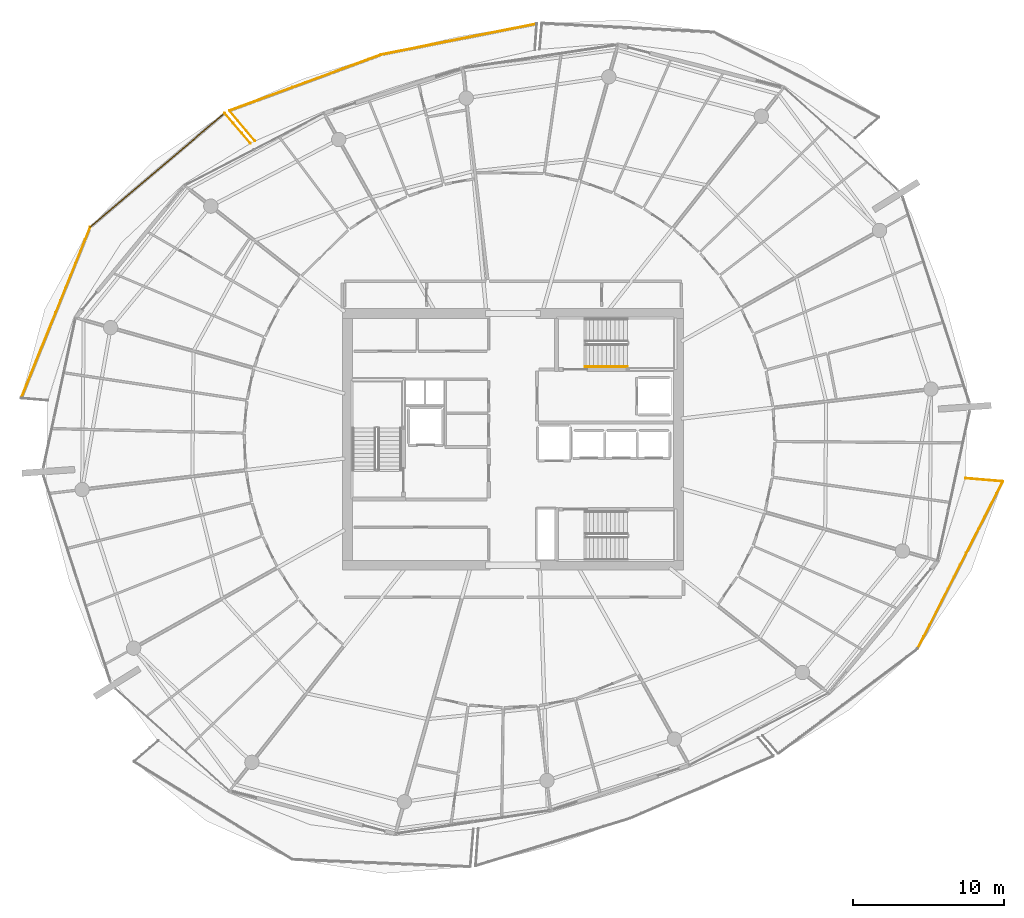
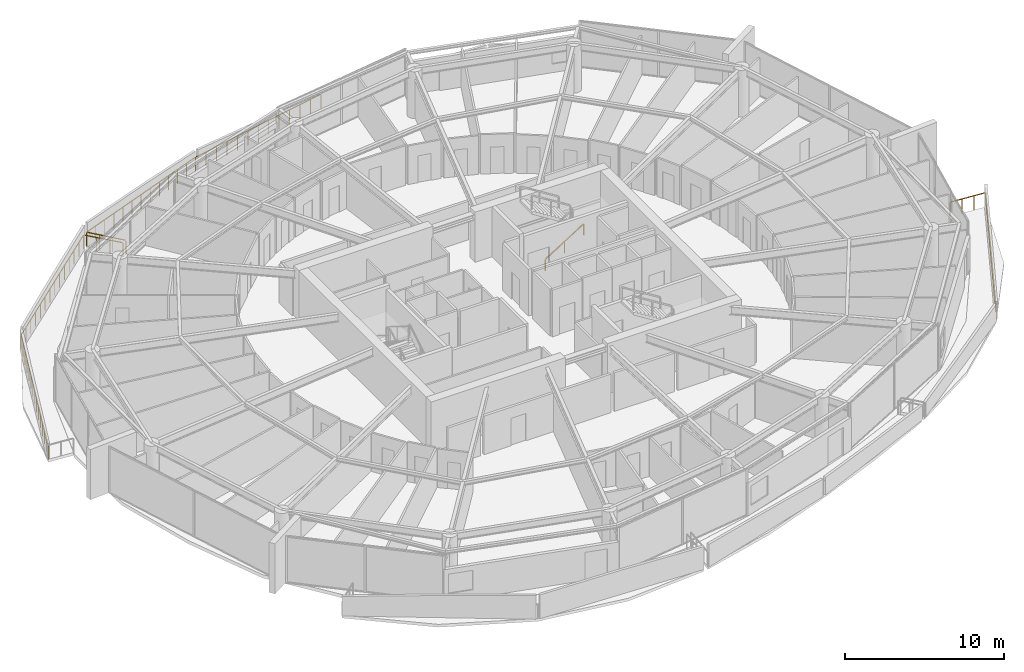
# One storey, part 29 of 31: 9 railings.
"""IFC4 building model written with IfcOpenShell, lengths in metres."""

from ifc_helpers import new_model, si_unit, direction, frame, origin, origin_2d, place, context, subcontext, project, spatial, rectangle, extrude, material, type_object, element, save


model = new_model("IFC4")

# Units and contexts
model_context = context("Model", 3, precision=1e-05, world=origin(), true_north=direction((0.0, 1.0)))
body_context = subcontext(model_context, "Body", "Model", "MODEL_VIEW")
ifc_project = project(units=[si_unit("LENGTHUNIT", "METRE"), si_unit("AREAUNIT", "SQUARE_METRE"), si_unit("VOLUMEUNIT", "CUBIC_METRE"), si_unit("PLANEANGLEUNIT", "RADIAN"), si_unit("MASSUNIT", "GRAM", prefix="KILO")], contexts=[model_context])

# Site, building, storey
site_placement = place(None, origin())
site = spatial("IfcSite", under=ifc_project, at=site_placement, CompositionType="ELEMENT")
building_placement = place(site_placement, origin())
building = spatial("IfcBuilding", under=site, at=building_placement, Name="Kazma Halo Residences", CompositionType="ELEMENT")
storey_placement = place(building_placement, frame((0.0, 0.0, 271.35009765625)))
storey = spatial("IfcBuildingStorey", under=building, at=storey_placement, Name="L68", CompositionType="ELEMENT", Elevation=271.35009765625)

# Railings
ifc_material_1 = material(Name="Aluminium AW-6063 T6 Brushed Cap Rail", Category="aluminium")
railing_type_1 = type_object("IfcRailingType", Name="RLG-BAL-CAP-1120", PredefinedType="BALUSTRADE", material=ifc_material_1)
railing_1_placement = place(storey_placement, frame((49.994384765625, 69.486083984375, 0.0)))
element("IfcRailing", 1, at=railing_1_placement, inside=storey, type_object=railing_type_1, Name="L68 NNW wave balcony guard 2", PredefinedType="BALUSTRADE", context=body_context, shape_type="SweptSolid", body=[
    extrude(rectangle(XDim=0.050048828125, YDim=0.050048828125, at=origin_2d()), frame((-0.041748046875, -0.00830078125, 1.09521484375), z_axis=(-0.980921977936, -0.19440183436, 0.0), x_axis=(0.19440183436, -0.980921977936, 0.0)), (0.0, 0.0, 1.0), 10.378662109375),
    extrude(rectangle(XDim=0.0400390625, YDim=0.0400390625, at=origin_2d()), origin(), (0.0, 0.0, 1.0), 1.05810546875),
    extrude(rectangle(XDim=0.0400390625, YDim=0.0400390625, at=origin_2d()), frame((-0.85546875, -0.16943359375, 0.0)), (0.0, 0.0, 1.0), 1.05810546875),
    extrude(rectangle(XDim=0.0400390625, YDim=0.0400390625, at=origin_2d()), frame((-1.710693359375, -0.339111328125, 0.0)), (0.0, 0.0, 1.0), 1.05810546875),
    extrude(rectangle(XDim=0.0400390625, YDim=0.0400390625, at=origin_2d()), frame((-2.56591796875, -0.508544921875, 0.0)), (0.0, 0.0, 1.0), 1.05810546875),
    extrude(rectangle(XDim=0.0400390625, YDim=0.0400390625, at=origin_2d()), frame((-3.42138671875, -0.677978515625, 0.0)), (0.0, 0.0, 1.0), 1.05810546875),
    extrude(rectangle(XDim=0.0400390625, YDim=0.0400390625, at=origin_2d()), frame((-4.27685546875, -0.84765625, 0.0)), (0.0, 0.0, 1.0), 1.05810546875),
    extrude(rectangle(XDim=0.0400390625, YDim=0.0400390625, at=origin_2d()), frame((-5.132080078125, -1.01708984375, 0.0)), (0.0, 0.0, 1.0), 1.05810546875),
    extrude(rectangle(XDim=0.0400390625, YDim=0.0400390625, at=origin_2d()), frame((-5.9873046875, -1.1865234375, 0.0)), (0.0, 0.0, 1.0), 1.05810546875),
    extrude(rectangle(XDim=0.0400390625, YDim=0.0400390625, at=origin_2d()), frame((-6.8427734375, -1.356201171875, 0.0)), (0.0, 0.0, 1.0), 1.05810546875),
    extrude(rectangle(XDim=0.0400390625, YDim=0.0400390625, at=origin_2d()), frame((-7.6982421875, -1.525634765625, 0.0)), (0.0, 0.0, 1.0), 1.05810546875),
    extrude(rectangle(XDim=0.0400390625, YDim=0.0400390625, at=origin_2d()), frame((-8.553466796875, -1.695068359375, 0.0)), (0.0, 0.0, 1.0), 1.05810546875),
    extrude(rectangle(XDim=0.0400390625, YDim=0.0400390625, at=origin_2d()), frame((-9.40869140625, -1.86474609375, 0.0)), (0.0, 0.0, 1.0), 1.05810546875),
    extrude(rectangle(XDim=0.0400390625, YDim=0.0400390625, at=origin_2d()), frame((-10.26416015625, -2.0341796875, 0.0)), (0.0, 0.0, 1.0), 1.05810546875),
])
railing_2_placement = place(storey_placement, frame((39.730224609375, 67.451904296875, 0.0)))
element("IfcRailing", 2, at=railing_2_placement, inside=storey, type_object=railing_type_1, Name="L68 NNW wave balcony guard 3", PredefinedType="BALUSTRADE", context=body_context, shape_type="SweptSolid", body=[
    extrude(rectangle(XDim=0.050048828125, YDim=0.050048828125, at=origin_2d()), frame((-0.039794921875, -0.0146484375, 1.09521484375), z_axis=(-0.938192314646, -0.34611440412, 0.0), x_axis=(0.34611440412, -0.938192314646, 0.0)), (0.0, 0.0, 1.0), 10.645751953125),
    extrude(rectangle(XDim=0.0400390625, YDim=0.0400390625, at=origin_2d()), origin(), (0.0, 0.0, 1.0), 1.05810546875),
    extrude(rectangle(XDim=0.0400390625, YDim=0.0400390625, at=origin_2d()), frame((-0.8388671875, -0.3095703125, 0.0)), (0.0, 0.0, 1.0), 1.05810546875),
    extrude(rectangle(XDim=0.0400390625, YDim=0.0400390625, at=origin_2d()), frame((-1.677978515625, -0.619140625, 0.0)), (0.0, 0.0, 1.0), 1.05810546875),
    extrude(rectangle(XDim=0.0400390625, YDim=0.0400390625, at=origin_2d()), frame((-2.516845703125, -0.928466796875, 0.0)), (0.0, 0.0, 1.0), 1.05810546875),
    extrude(rectangle(XDim=0.0400390625, YDim=0.0400390625, at=origin_2d()), frame((-3.35595703125, -1.238037109375, 0.0)), (0.0, 0.0, 1.0), 1.05810546875),
    extrude(rectangle(XDim=0.0400390625, YDim=0.0400390625, at=origin_2d()), frame((-4.19482421875, -1.547607421875, 0.0)), (0.0, 0.0, 1.0), 1.05810546875),
    extrude(rectangle(XDim=0.0400390625, YDim=0.0400390625, at=origin_2d()), frame((-5.03369140625, -1.85693359375, 0.0)), (0.0, 0.0, 1.0), 1.05810546875),
    extrude(rectangle(XDim=0.0400390625, YDim=0.0400390625, at=origin_2d()), frame((-5.872802734375, -2.16650390625, 0.0)), (0.0, 0.0, 1.0), 1.05810546875),
    extrude(rectangle(XDim=0.0400390625, YDim=0.0400390625, at=origin_2d()), frame((-6.711669921875, -2.47607421875, 0.0)), (0.0, 0.0, 1.0), 1.05810546875),
    extrude(rectangle(XDim=0.0400390625, YDim=0.0400390625, at=origin_2d()), frame((-7.55078125, -2.78564453125, 0.0)), (0.0, 0.0, 1.0), 1.05810546875),
    extrude(rectangle(XDim=0.0400390625, YDim=0.0400390625, at=origin_2d()), frame((-8.3896484375, -3.09521484375, 0.0)), (0.0, 0.0, 1.0), 1.05810546875),
    extrude(rectangle(XDim=0.0400390625, YDim=0.0400390625, at=origin_2d()), frame((-9.228759765625, -3.404541015625, 0.0)), (0.0, 0.0, 1.0), 1.05810546875),
    extrude(rectangle(XDim=0.0400390625, YDim=0.0400390625, at=origin_2d()), frame((-10.067626953125, -3.714111328125, 0.0)), (0.0, 0.0, 1.0), 1.05810546875),
])
railing_3_placement = place(storey_placement, frame((29.66259765625, 63.73779296875, 0.0)))
element("IfcRailing", 3, at=railing_3_placement, inside=storey, type_object=railing_type_1, Name="L68 NNW wave balcony guard 4", PredefinedType="BALUSTRADE", context=body_context, shape_type="SweptSolid", body=[
    extrude(rectangle(XDim=0.050048828125, YDim=0.050048828125, at=origin_2d()), frame((0.02734375, -0.032470703125, 1.09521484375), z_axis=(0.644828498892, -0.764327290509, 0.0), x_axis=(0.764327290509, 0.644828498892, 0.0)), (0.0, 0.0, 1.0), 2.540283203125),
    extrude(rectangle(XDim=0.0400390625, YDim=0.0400390625, at=origin_2d()), origin(), (0.0, 0.0, 1.0), 1.05810546875),
    extrude(rectangle(XDim=0.0400390625, YDim=0.0400390625, at=origin_2d()), frame((0.564208984375, -0.6689453125, 0.0)), (0.0, 0.0, 1.0), 1.05810546875),
    extrude(rectangle(XDim=0.0400390625, YDim=0.0400390625, at=origin_2d()), frame((1.128662109375, -1.337646484375, 0.0)), (0.0, 0.0, 1.0), 1.05810546875),
    extrude(rectangle(XDim=0.0400390625, YDim=0.0400390625, at=origin_2d()), frame((1.69287109375, -2.006591796875, 0.0)), (0.0, 0.0, 1.0), 1.05810546875),
])
railing_4_placement = place(storey_placement, frame((31.06787109375, 61.58154296875, 0.0)))
element("IfcRailing", 4, at=railing_4_placement, inside=storey, type_object=railing_type_1, Name="L68 NW wave balcony guard 1", PredefinedType="BALUSTRADE", context=body_context, shape_type="SweptSolid", body=[
    extrude(rectangle(XDim=0.050048828125, YDim=0.050048828125, at=origin_2d()), frame((-0.02783203125, 0.0322265625, 1.09521484375), z_axis=(-0.654057200306, 0.756445093002, 0.0), x_axis=(-0.756445093002, -0.654057200306, 0.0)), (0.0, 0.0, 1.0), 2.544921875),
    extrude(rectangle(XDim=0.0400390625, YDim=0.0400390625, at=origin_2d()), origin(), (0.0, 0.0, 1.0), 1.05810546875),
    extrude(rectangle(XDim=0.0400390625, YDim=0.0400390625, at=origin_2d()), frame((-0.573486328125, 0.6630859375, 0.0)), (0.0, 0.0, 1.0), 1.05810546875),
    extrude(rectangle(XDim=0.0400390625, YDim=0.0400390625, at=origin_2d()), frame((-1.146728515625, 1.326416015625, 0.0)), (0.0, 0.0, 1.0), 1.05810546875),
    extrude(rectangle(XDim=0.0400390625, YDim=0.0400390625, at=origin_2d()), frame((-1.72021484375, 1.989501953125, 0.0)), (0.0, 0.0, 1.0), 1.05810546875),
])
railing_5_placement = place(storey_placement, frame((29.34765625, 63.571044921875, 0.0)))
element("IfcRailing", 5, at=railing_5_placement, inside=storey, type_object=railing_type_1, Name="L68 NW wave balcony guard 2", PredefinedType="BALUSTRADE", context=body_context, shape_type="SweptSolid", body=[
    extrude(rectangle(XDim=0.050048828125, YDim=0.050048828125, at=origin_2d()), frame((-0.032470703125, -0.027587890625, 1.09521484375), z_axis=(-0.762726414498, -0.646721282028, 0.0), x_axis=(0.646721282028, -0.762726414498, 0.0)), (0.0, 0.0, 1.0), 11.570068359375),
    extrude(rectangle(XDim=0.0400390625, YDim=0.0400390625, at=origin_2d()), origin(), (0.0, 0.0, 1.0), 1.05810546875),
    extrude(rectangle(XDim=0.0400390625, YDim=0.0400390625, at=origin_2d()), frame((-0.683837890625, -0.579833984375, 0.0)), (0.0, 0.0, 1.0), 1.05810546875),
    extrude(rectangle(XDim=0.0400390625, YDim=0.0400390625, at=origin_2d()), frame((-1.36767578125, -1.15966796875, 0.0)), (0.0, 0.0, 1.0), 1.05810546875),
    extrude(rectangle(XDim=0.0400390625, YDim=0.0400390625, at=origin_2d()), frame((-2.051513671875, -1.739501953125, 0.0)), (0.0, 0.0, 1.0), 1.05810546875),
    extrude(rectangle(XDim=0.0400390625, YDim=0.0400390625, at=origin_2d()), frame((-2.7353515625, -2.3193359375, 0.0)), (0.0, 0.0, 1.0), 1.05810546875),
    extrude(rectangle(XDim=0.0400390625, YDim=0.0400390625, at=origin_2d()), frame((-3.419189453125, -2.899169921875, 0.0)), (0.0, 0.0, 1.0), 1.05810546875),
    extrude(rectangle(XDim=0.0400390625, YDim=0.0400390625, at=origin_2d()), frame((-4.10302734375, -3.47900390625, 0.0)), (0.0, 0.0, 1.0), 1.05810546875),
    extrude(rectangle(XDim=0.0400390625, YDim=0.0400390625, at=origin_2d()), frame((-4.78662109375, -4.05859375, 0.0)), (0.0, 0.0, 1.0), 1.05810546875),
    extrude(rectangle(XDim=0.0400390625, YDim=0.0400390625, at=origin_2d()), frame((-5.470458984375, -4.638427734375, 0.0)), (0.0, 0.0, 1.0), 1.05810546875),
    extrude(rectangle(XDim=0.0400390625, YDim=0.0400390625, at=origin_2d()), frame((-6.154296875, -5.21826171875, 0.0)), (0.0, 0.0, 1.0), 1.05810546875),
    extrude(rectangle(XDim=0.0400390625, YDim=0.0400390625, at=origin_2d()), frame((-6.838134765625, -5.798095703125, 0.0)), (0.0, 0.0, 1.0), 1.05810546875),
    extrude(rectangle(XDim=0.0400390625, YDim=0.0400390625, at=origin_2d()), frame((-7.52197265625, -6.3779296875, 0.0)), (0.0, 0.0, 1.0), 1.05810546875),
    extrude(rectangle(XDim=0.0400390625, YDim=0.0400390625, at=origin_2d()), frame((-8.205810546875, -6.957763671875, 0.0)), (0.0, 0.0, 1.0), 1.05810546875),
    extrude(rectangle(XDim=0.0400390625, YDim=0.0400390625, at=origin_2d()), frame((-8.8896484375, -7.53759765625, 0.0)), (0.0, 0.0, 1.0), 1.05810546875),
])
railing_6_placement = place(storey_placement, frame((20.4580078125, 56.033447265625, 0.0)))
element("IfcRailing", 6, at=railing_6_placement, inside=storey, type_object=railing_type_1, Name="L68 NW wave balcony guard 3", PredefinedType="BALUSTRADE", context=body_context, shape_type="SweptSolid", body=[
    extrude(rectangle(XDim=0.050048828125, YDim=0.050048828125, at=origin_2d()), frame((-0.015869140625, -0.03955078125, 1.09521484375), z_axis=(-0.374095261737, -0.927390281999, 0.0), x_axis=(0.927390281999, -0.374095261737, 0.0)), (0.0, 0.0, 1.0), 12.109619140625),
    extrude(rectangle(XDim=0.0400390625, YDim=0.0400390625, at=origin_2d()), origin(), (0.0, 0.0, 1.0), 1.05810546875),
    extrude(rectangle(XDim=0.0400390625, YDim=0.0400390625, at=origin_2d()), frame((-0.325927734375, -0.807861328125, 0.0)), (0.0, 0.0, 1.0), 1.05810546875),
    extrude(rectangle(XDim=0.0400390625, YDim=0.0400390625, at=origin_2d()), frame((-0.651611328125, -1.61572265625, 0.0)), (0.0, 0.0, 1.0), 1.05810546875),
    extrude(rectangle(XDim=0.0400390625, YDim=0.0400390625, at=origin_2d()), frame((-0.9775390625, -2.42333984375, 0.0)), (0.0, 0.0, 1.0), 1.05810546875),
    extrude(rectangle(XDim=0.0400390625, YDim=0.0400390625, at=origin_2d()), frame((-1.303466796875, -3.231201171875, 0.0)), (0.0, 0.0, 1.0), 1.05810546875),
    extrude(rectangle(XDim=0.0400390625, YDim=0.0400390625, at=origin_2d()), frame((-1.62939453125, -4.0390625, 0.0)), (0.0, 0.0, 1.0), 1.05810546875),
    extrude(rectangle(XDim=0.0400390625, YDim=0.0400390625, at=origin_2d()), frame((-1.955078125, -4.846923828125, 0.0)), (0.0, 0.0, 1.0), 1.05810546875),
    extrude(rectangle(XDim=0.0400390625, YDim=0.0400390625, at=origin_2d()), frame((-2.281005859375, -5.65478515625, 0.0)), (0.0, 0.0, 1.0), 1.05810546875),
    extrude(rectangle(XDim=0.0400390625, YDim=0.0400390625, at=origin_2d()), frame((-2.60693359375, -6.46240234375, 0.0)), (0.0, 0.0, 1.0), 1.05810546875),
    extrude(rectangle(XDim=0.0400390625, YDim=0.0400390625, at=origin_2d()), frame((-2.9326171875, -7.270263671875, 0.0)), (0.0, 0.0, 1.0), 1.05810546875),
    extrude(rectangle(XDim=0.0400390625, YDim=0.0400390625, at=origin_2d()), frame((-3.258544921875, -8.078125, 0.0)), (0.0, 0.0, 1.0), 1.05810546875),
    extrude(rectangle(XDim=0.0400390625, YDim=0.0400390625, at=origin_2d()), frame((-3.58447265625, -8.885986328125, 0.0)), (0.0, 0.0, 1.0), 1.05810546875),
    extrude(rectangle(XDim=0.0400390625, YDim=0.0400390625, at=origin_2d()), frame((-3.910400390625, -9.693603515625, 0.0)), (0.0, 0.0, 1.0), 1.05810546875),
    extrude(rectangle(XDim=0.0400390625, YDim=0.0400390625, at=origin_2d()), frame((-4.236083984375, -10.50146484375, 0.0)), (0.0, 0.0, 1.0), 1.05810546875),
    extrude(rectangle(XDim=0.0400390625, YDim=0.0400390625, at=origin_2d()), frame((-4.56201171875, -11.309326171875, 0.0)), (0.0, 0.0, 1.0), 1.05810546875),
])
railing_7_placement = place(storey_placement, frame((75.1875, 28.147216796875, 0.0)))
element("IfcRailing", 7, at=railing_7_placement, inside=storey, type_object=railing_type_1, Name="L68 SE wave balcony guard 3", PredefinedType="BALUSTRADE", context=body_context, shape_type="SweptSolid", body=[
    extrude(rectangle(XDim=0.050048828125, YDim=0.050048828125, at=origin_2d()), frame((0.019287109375, 0.037841796875, 1.09521484375), z_axis=(0.453751445386, 0.891128288077, 0.0), x_axis=(-0.891128288077, 0.453751445386, 0.0)), (0.0, 0.0, 1.0), 12.334716796875),
    extrude(rectangle(XDim=0.0400390625, YDim=0.0400390625, at=origin_2d()), origin(), (0.0, 0.0, 1.0), 1.05810546875),
    extrude(rectangle(XDim=0.0400390625, YDim=0.0400390625, at=origin_2d()), frame((0.402587890625, 0.79052734375, 0.0)), (0.0, 0.0, 1.0), 1.05810546875),
    extrude(rectangle(XDim=0.0400390625, YDim=0.0400390625, at=origin_2d()), frame((0.80517578125, 1.5810546875, 0.0)), (0.0, 0.0, 1.0), 1.05810546875),
    extrude(rectangle(XDim=0.0400390625, YDim=0.0400390625, at=origin_2d()), frame((1.20751953125, 2.37158203125, 0.0)), (0.0, 0.0, 1.0), 1.05810546875),
    extrude(rectangle(XDim=0.0400390625, YDim=0.0400390625, at=origin_2d()), frame((1.610107421875, 3.162109375, 0.0)), (0.0, 0.0, 1.0), 1.05810546875),
    extrude(rectangle(XDim=0.0400390625, YDim=0.0400390625, at=origin_2d()), frame((2.0126953125, 3.95263671875, 0.0)), (0.0, 0.0, 1.0), 1.05810546875),
    extrude(rectangle(XDim=0.0400390625, YDim=0.0400390625, at=origin_2d()), frame((2.415283203125, 4.7431640625, 0.0)), (0.0, 0.0, 1.0), 1.05810546875),
    extrude(rectangle(XDim=0.0400390625, YDim=0.0400390625, at=origin_2d()), frame((2.81787109375, 5.53369140625, 0.0)), (0.0, 0.0, 1.0), 1.05810546875),
    extrude(rectangle(XDim=0.0400390625, YDim=0.0400390625, at=origin_2d()), frame((3.22021484375, 6.324462890625, 0.0)), (0.0, 0.0, 1.0), 1.05810546875),
    extrude(rectangle(XDim=0.0400390625, YDim=0.0400390625, at=origin_2d()), frame((3.622802734375, 7.114990234375, 0.0)), (0.0, 0.0, 1.0), 1.05810546875),
    extrude(rectangle(XDim=0.0400390625, YDim=0.0400390625, at=origin_2d()), frame((4.025390625, 7.905517578125, 0.0)), (0.0, 0.0, 1.0), 1.05810546875),
    extrude(rectangle(XDim=0.0400390625, YDim=0.0400390625, at=origin_2d()), frame((4.427978515625, 8.696044921875, 0.0)), (0.0, 0.0, 1.0), 1.05810546875),
    extrude(rectangle(XDim=0.0400390625, YDim=0.0400390625, at=origin_2d()), frame((4.830322265625, 9.486572265625, 0.0)), (0.0, 0.0, 1.0), 1.05810546875),
    extrude(rectangle(XDim=0.0400390625, YDim=0.0400390625, at=origin_2d()), frame((5.23291015625, 10.277099609375, 0.0)), (0.0, 0.0, 1.0), 1.05810546875),
    extrude(rectangle(XDim=0.0400390625, YDim=0.0400390625, at=origin_2d()), frame((5.635498046875, 11.067626953125, 0.0)), (0.0, 0.0, 1.0), 1.05810546875),
])
railing_8_placement = place(storey_placement, frame((80.822998046875, 39.21484375, 0.0)))
element("IfcRailing", 8, at=railing_8_placement, inside=storey, type_object=railing_type_1, Name="L68 SE wave balcony guard 4", PredefinedType="BALUSTRADE", context=body_context, shape_type="SweptSolid", body=[
    extrude(rectangle(XDim=0.050048828125, YDim=0.050048828125, at=origin_2d()), frame((-0.04248046875, 0.003662109375, 1.09521484375), z_axis=(-0.996414964781, 0.084600342552, 0.0), x_axis=(-0.084600342552, -0.996414964781, 0.0)), (0.0, 0.0, 1.0), 2.396728515625),
    extrude(rectangle(XDim=0.0400390625, YDim=0.0400390625, at=origin_2d()), origin(), (0.0, 0.0, 1.0), 1.05810546875),
    extrude(rectangle(XDim=0.0400390625, YDim=0.0400390625, at=origin_2d()), frame((-0.82421875, 0.070068359375, 0.0)), (0.0, 0.0, 1.0), 1.05810546875),
    extrude(rectangle(XDim=0.0400390625, YDim=0.0400390625, at=origin_2d()), frame((-1.648681640625, 0.139892578125, 0.0)), (0.0, 0.0, 1.0), 1.05810546875),
    extrude(rectangle(XDim=0.0400390625, YDim=0.0400390625, at=origin_2d()), frame((-2.472900390625, 0.2099609375, 0.0)), (0.0, 0.0, 1.0), 1.05810546875),
])
ifc_material_2 = material(Name="Brushed Stainless Steel", Category="steel")
railing_type_2 = type_object("IfcRailingType", Name="RLG-STAIR-HND-900", PredefinedType="HANDRAIL", material=ifc_material_2)
railing_9_placement = place(storey_placement, frame((53.199951171875, 46.800048828125, 0.1748046875)))
element("IfcRailing", 9, at=railing_9_placement, inside=storey, type_object=railing_type_2, Name="L68 ST-02 stair handrail 1", PredefinedType="HANDRAIL", context=body_context, shape_type="SweptSolid", body=[
    extrude(rectangle(XDim=0.050048828125, YDim=0.050048828125, at=origin_2d()), frame((0.0361328125, 0.0, 0.8974609375), z_axis=(0.848002457836, 0.0, 0.529992293815), x_axis=(0.0, 1.0, 0.0)), (0.0, 0.0, 1.0), 3.216796875),
    extrude(rectangle(XDim=0.0400390625, YDim=0.0400390625, at=origin_2d()), origin(), (0.0, 0.0, 1.0), 0.837890625),
    extrude(rectangle(XDim=0.0400390625, YDim=0.0400390625, at=origin_2d()), frame((1.39990234375, 0.0, 0.875)), (0.0, 0.0, 1.0), 0.837890625),
    extrude(rectangle(XDim=0.0400390625, YDim=0.0400390625, at=origin_2d()), frame((2.800048828125, 0.0, 1.75)), (0.0, 0.0, 1.0), 0.837890625),
])

save(model, "model.ifc")
